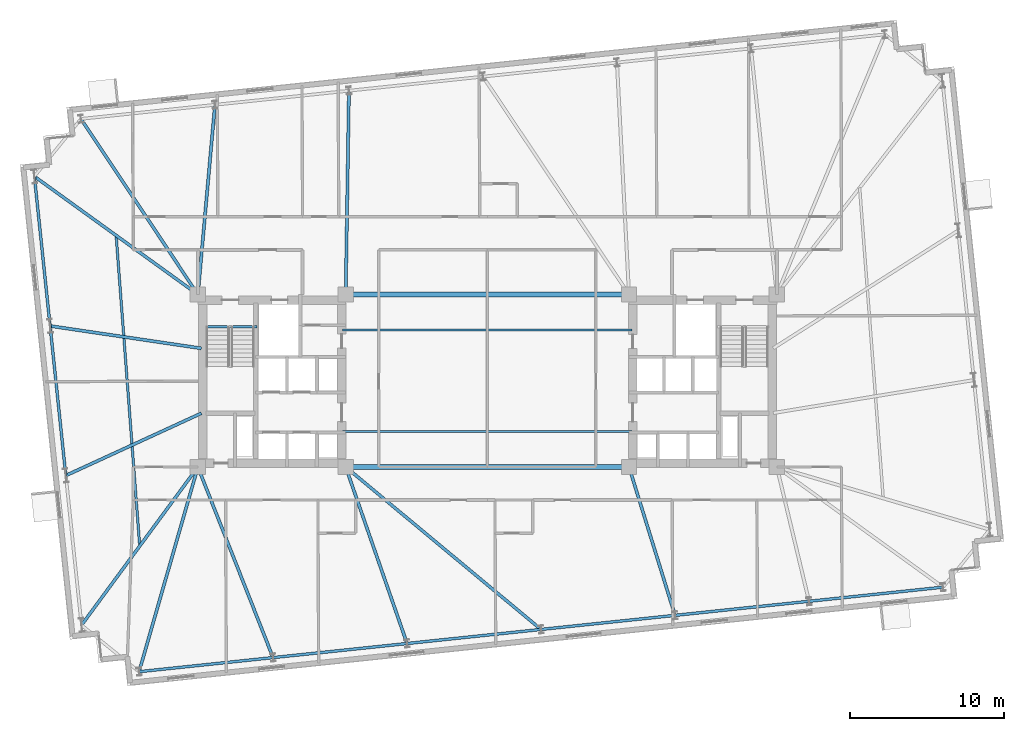
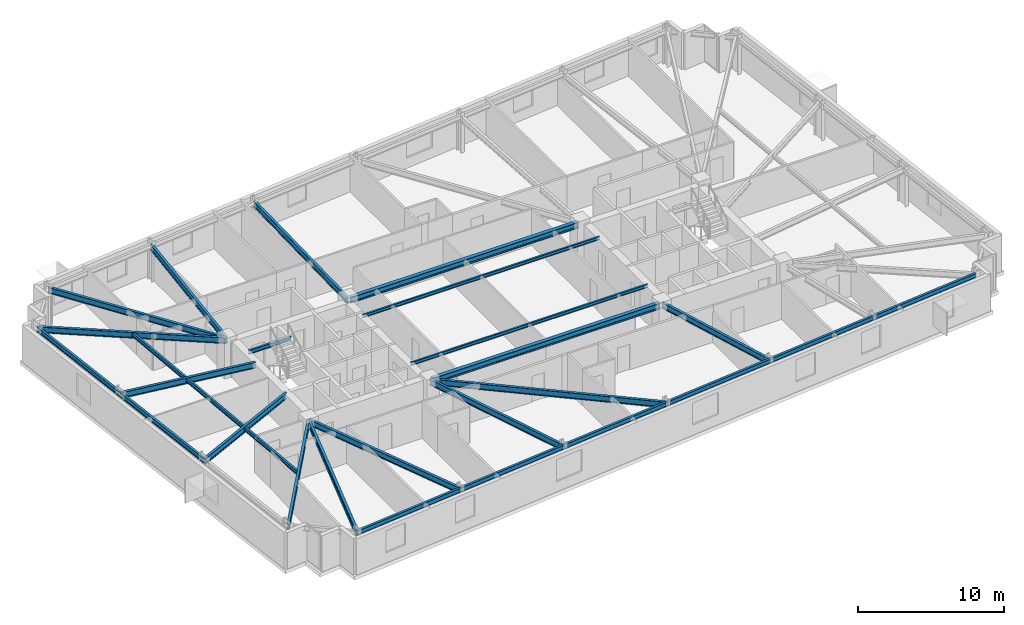
# One storey, part 5 of 17: 26 beams.
"""IFC4 building model written with IfcOpenShell, lengths in metres."""

from ifc_helpers import new_model, si_unit, direction, frame, origin, origin_2d, place, context, subcontext, project, spatial, i_section, extrude, material, material_profile, profile_set, type_object, element, save


model = new_model("IFC4")

# Units and contexts
model_context = context("Model", 3, precision=1e-05, world=origin(), true_north=direction((0.0, 1.0)))
body_context = subcontext(model_context, "Body", "Model", "MODEL_VIEW")
ifc_project = project(units=[si_unit("LENGTHUNIT", "METRE"), si_unit("AREAUNIT", "SQUARE_METRE"), si_unit("VOLUMEUNIT", "CUBIC_METRE"), si_unit("PLANEANGLEUNIT", "RADIAN"), si_unit("MASSUNIT", "GRAM", prefix="KILO")], contexts=[model_context])

# Site, building, storey
site_placement = place(None, origin())
site = spatial("IfcSite", under=ifc_project, at=site_placement, CompositionType="ELEMENT")
building_placement = place(site_placement, origin())
building = spatial("IfcBuilding", under=site, at=building_placement, Name="Qobustan Lattice House", CompositionType="ELEMENT")
storey_placement = place(building_placement, frame((0.0, 0.0, 105.800048828125)))
storey = spatial("IfcBuildingStorey", under=building, at=storey_placement, Name="L29", CompositionType="ELEMENT", Elevation=105.800048828125)

# Beams
ifc_material_1 = material(Name="Steel S355", Category="steel")
ifc_material_profile_1 = material_profile(ifc_material_1, i_section(OverallWidth=0.300048828125, OverallDepth=0.5, WebThickness=0.014404296875, FlangeThickness=0.028076171875, FilletRadius=0.027099609375, at=origin_2d()), Name="HEB500")
ifc_profile_set_1 = profile_set([ifc_material_profile_1], Name="Steel S355")
beam_type_1 = type_object("IfcBeamType", Name="BM-CG-HEB500", PredefinedType="USERDEFINED", material=ifc_profile_set_1)
for number, where, z_axis, x_axis, name in (
    (1, (-9.050048828125, -5.60009765625, 2.794921875), (1.0, 0.0, 0.0), (0.0, 1.0, 0.0), "L29 core spine girder CG-CS"),
    (2, (-9.050048828125, 5.60009765625, 2.794921875), (1.0, 0.0, 0.0), (0.0, 1.0, 0.0), "L29 core spine girder CG-CN"),
):
    element("IfcBeam", number, at=place(storey_placement, frame(where, z_axis=z_axis, x_axis=x_axis)), inside=storey, type_object=beam_type_1, Name=name, ObjectType="GIRDER", PredefinedType="USERDEFINED", context=body_context, shape_type="SweptSolid", body=[
        extrude(i_section(OverallWidth=0.300048828125, OverallDepth=0.5, WebThickness=0.014404296875, FlangeThickness=0.028076171875, FilletRadius=0.027099609375, at=origin_2d()), origin(), (0.0, 0.0, 1.0), 18.10009765625),
    ])
ifc_material_2 = material(Name="Steel S355", Category="steel")
ifc_material_profile_2 = material_profile(ifc_material_2, i_section(OverallWidth=0.199951171875, OverallDepth=0.5, WebThickness=0.01025390625, FlangeThickness=0.01611328125, FilletRadius=0.02099609375, at=origin_2d()), Name="IPE500")
ifc_profile_set_2 = profile_set([ifc_material_profile_2], Name="Steel S355")
beam_type_2 = type_object("IfcBeamType", Name="BM-FLG-IPE500", PredefinedType="USERDEFINED", material=ifc_profile_set_2)
beam_1_placement = place(storey_placement, frame((-22.612548828125, -18.87109375, 2.794921875), z_axis=(0.276115177845, 0.961124554136, 0.0), x_axis=(-0.961124554136, 0.276115177845, 0.0)))
element("IfcBeam", 3, at=beam_1_placement, inside=storey, type_object=beam_type_2, Name="L29 primary floor girder RAD-S1W", ObjectType="GIRDER", PredefinedType="USERDEFINED", context=body_context, shape_type="SweptSolid", body=[
    extrude(i_section(OverallWidth=0.199951171875, OverallDepth=0.5, WebThickness=0.01025390625, FlangeThickness=0.01611328125, FilletRadius=0.02099609375, at=origin_2d()), origin(), (0.0, 0.0, 1.0), 13.782958984375),
])
beam_2_placement = place(storey_placement, frame((-13.926513671875, -17.95703125, 2.794921875), z_axis=(-0.366884358141, 0.930266557365, 0.0), x_axis=(-0.930266557365, -0.366884358141, 0.0)))
element("IfcBeam", 4, at=beam_2_placement, inside=storey, type_object=beam_type_2, Name="L29 primary floor girder RAD-S2", ObjectType="GIRDER", PredefinedType="USERDEFINED", context=body_context, shape_type="SweptSolid", body=[
    extrude(i_section(OverallWidth=0.199951171875, OverallDepth=0.5, WebThickness=0.01025390625, FlangeThickness=0.01611328125, FilletRadius=0.02099609375, at=origin_2d()), origin(), (0.0, 0.0, 1.0), 13.25830078125),
])
beam_3_placement = place(storey_placement, frame((-5.223388671875, -17.0419921875, 2.794921875), z_axis=(-0.328289533586, 0.94457714462, 0.0), x_axis=(-0.94457714462, -0.328289533586, 0.0)))
element("IfcBeam", 5, at=beam_3_placement, inside=storey, type_object=beam_type_2, Name="L29 primary floor girder RAD-S3", ObjectType="GIRDER", PredefinedType="USERDEFINED", context=body_context, shape_type="SweptSolid", body=[
    extrude(i_section(OverallWidth=0.199951171875, OverallDepth=0.5, WebThickness=0.01025390625, FlangeThickness=0.01611328125, FilletRadius=0.02099609375, at=origin_2d()), origin(), (0.0, 0.0, 1.0), 12.08837890625),
])
beam_4_placement = place(storey_placement, frame((3.467529296875, -16.135009765625, 2.794921875), z_axis=(-0.768858311844, 0.639419186691, 0.0), x_axis=(-0.639419186691, -0.768858311844, 0.0)))
element("IfcBeam", 6, at=beam_4_placement, inside=storey, type_object=beam_type_2, Name="L29 primary floor girder RAD-S4", ObjectType="GIRDER", PredefinedType="USERDEFINED", context=body_context, shape_type="SweptSolid", body=[
    extrude(i_section(OverallWidth=0.199951171875, OverallDepth=0.5, WebThickness=0.01025390625, FlangeThickness=0.01611328125, FilletRadius=0.02099609375, at=origin_2d()), origin(), (0.0, 0.0, 1.0), 16.450927734375),
])
beam_5_placement = place(storey_placement, frame((12.181396484375, -15.212646484375, 2.794921875), z_axis=(-0.296219460995, 0.955119903953, 0.0), x_axis=(-0.955119903953, -0.296219460995, 0.0)))
element("IfcBeam", 7, at=beam_5_placement, inside=storey, type_object=beam_type_2, Name="L29 primary floor girder RAD-S5", ObjectType="GIRDER", PredefinedType="USERDEFINED", context=body_context, shape_type="SweptSolid", body=[
    extrude(i_section(OverallWidth=0.199951171875, OverallDepth=0.5, WebThickness=0.01025390625, FlangeThickness=0.01611328125, FilletRadius=0.02099609375, at=origin_2d()), origin(), (0.0, 0.0, 1.0), 10.03955078125),
])
beam_6_placement = place(storey_placement, frame((-26.37890625, 16.986328125, 2.794921875), z_axis=(0.5540893103, -0.832457227857, 0.0), x_axis=(0.832457227857, 0.5540893103, 0.0)))
element("IfcBeam", 8, at=beam_6_placement, inside=storey, type_object=beam_type_2, Name="L29 primary floor girder RAD-N7W", ObjectType="GIRDER", PredefinedType="USERDEFINED", context=body_context, shape_type="SweptSolid", body=[
    extrude(i_section(OverallWidth=0.199951171875, OverallDepth=0.5, WebThickness=0.01025390625, FlangeThickness=0.01611328125, FilletRadius=0.02099609375, at=origin_2d()), origin(), (0.0, 0.0, 1.0), 13.65283203125),
])
beam_7_placement = place(storey_placement, frame((-17.693115234375, 17.89697265625, 2.794921875), z_axis=(-0.089658533603, -0.995972563554, 0.0), x_axis=(0.995972563554, -0.089658533603, 0.0)))
element("IfcBeam", 9, at=beam_7_placement, inside=storey, type_object=beam_type_2, Name="L29 primary floor girder RAD-N6", ObjectType="GIRDER", PredefinedType="USERDEFINED", context=body_context, shape_type="SweptSolid", body=[
    extrude(i_section(OverallWidth=0.199951171875, OverallDepth=0.5, WebThickness=0.01025390625, FlangeThickness=0.01611328125, FilletRadius=0.02099609375, at=origin_2d()), origin(), (0.0, 0.0, 1.0), 12.321533203125),
])
beam_8_placement = place(storey_placement, frame((-8.9892578125, 18.8115234375, 2.794921875), z_axis=(-0.015957384359, -0.999872672836, 0.0), x_axis=(0.999872672836, -0.015957384359, 0.0)))
element("IfcBeam", 10, at=beam_8_placement, inside=storey, type_object=beam_type_2, Name="L29 primary floor girder RAD-N5", ObjectType="GIRDER", PredefinedType="USERDEFINED", context=body_context, shape_type="SweptSolid", body=[
    extrude(i_section(OverallWidth=0.199951171875, OverallDepth=0.5, WebThickness=0.01025390625, FlangeThickness=0.01611328125, FilletRadius=0.02099609375, at=origin_2d()), origin(), (0.0, 0.0, 1.0), 13.188232421875),
])
beam_9_placement = place(storey_placement, frame((-29.398681640625, 13.255859375, 2.794921875), z_axis=(0.810627425394, -0.585562274399, 0.0), x_axis=(0.585562274399, 0.810627425394, 0.0)))
element("IfcBeam", 11, at=beam_9_placement, inside=storey, type_object=beam_type_2, Name="L29 primary floor girder RAD-W1", ObjectType="GIRDER", PredefinedType="USERDEFINED", context=body_context, shape_type="SweptSolid", body=[
    extrude(i_section(OverallWidth=0.199951171875, OverallDepth=0.5, WebThickness=0.01025390625, FlangeThickness=0.01611328125, FilletRadius=0.02099609375, at=origin_2d()), origin(), (0.0, 0.0, 1.0), 13.049560546875),
])
beam_10_placement = place(storey_placement, frame((-28.373291015625, 3.5537109375, 2.794921875), z_axis=(0.989228195022, -0.146381618294, 0.0), x_axis=(0.146381618294, 0.989228195022, 0.0)))
element("IfcBeam", 12, at=beam_10_placement, inside=storey, type_object=beam_type_2, Name="L29 primary floor girder RAD-W2", ObjectType="GIRDER", PredefinedType="USERDEFINED", context=body_context, shape_type="SweptSolid", body=[
    extrude(i_section(OverallWidth=0.199951171875, OverallDepth=0.5, WebThickness=0.01025390625, FlangeThickness=0.01611328125, FilletRadius=0.02099609375, at=origin_2d()), origin(), (0.0, 0.0, 1.0), 9.9052734375),
])
beam_11_placement = place(storey_placement, frame((-27.3544921875, -6.1455078125, 2.794921875), z_axis=(0.908664928826, 0.417526103521, 0.0), x_axis=(-0.417526103521, 0.908664928826, 0.0)))
element("IfcBeam", 13, at=beam_11_placement, inside=storey, type_object=beam_type_2, Name="L29 primary floor girder RAD-W3", ObjectType="GIRDER", PredefinedType="USERDEFINED", context=body_context, shape_type="SweptSolid", body=[
    extrude(i_section(OverallWidth=0.199951171875, OverallDepth=0.5, WebThickness=0.01025390625, FlangeThickness=0.01611328125, FilletRadius=0.02099609375, at=origin_2d()), origin(), (0.0, 0.0, 1.0), 9.66455078125),
])
beam_12_placement = place(storey_placement, frame((-26.34130859375, -15.848876953125, 2.794921875), z_axis=(0.592669703312, 0.805445605101, 0.0), x_axis=(-0.805445605101, 0.592669703312, 0.0)))
element("IfcBeam", 14, at=beam_12_placement, inside=storey, type_object=beam_type_2, Name="L29 primary floor girder RAD-W4", ObjectType="GIRDER", PredefinedType="USERDEFINED", context=body_context, shape_type="SweptSolid", body=[
    extrude(i_section(OverallWidth=0.199951171875, OverallDepth=0.5, WebThickness=0.01025390625, FlangeThickness=0.01611328125, FilletRadius=0.02099609375, at=origin_2d()), origin(), (0.0, 0.0, 1.0), 12.699462890625),
])
ifc_material_3 = material(Name="Steel S355", Category="steel")
ifc_material_profile_3 = material_profile(ifc_material_3, i_section(OverallWidth=0.135009765625, OverallDepth=0.27001953125, WebThickness=0.006591796875, FlangeThickness=0.01025390625, FilletRadius=0.014892578125, at=origin_2d()), Name="IPE270")
ifc_profile_set_3 = profile_set([ifc_material_profile_3], Name="Steel S355")
beam_type_3 = type_object("IfcBeamType", Name="BM-JST-IPE270", PredefinedType="JOIST", material=ifc_profile_set_3)
for number, where, z_axis, x_axis, name in (
    (15, (-9.39990234375, -3.300048828125, 2.909912109375), (1.0, 0.0, 0.0), (0.0, 1.0, 0.0), "L29 central span floor joist 1"),
    (16, (-9.39990234375, 3.300048828125, 2.909912109375), (1.0, 0.0, 0.0), (0.0, 1.0, 0.0), "L29 central span floor joist 2"),
):
    element("IfcBeam", number, at=place(storey_placement, frame(where, z_axis=z_axis, x_axis=x_axis)), inside=storey, type_object=beam_type_3, Name=name, PredefinedType="JOIST", context=body_context, shape_type="SweptSolid", body=[
        extrude(i_section(OverallWidth=0.135009765625, OverallDepth=0.27001953125, WebThickness=0.006591796875, FlangeThickness=0.01025390625, FilletRadius=0.014892578125, at=origin_2d()), origin(), (0.0, 0.0, 1.0), 18.7998046875),
    ])
ifc_material_4 = material(Name="Steel S355", Category="steel")
ifc_material_profile_4 = material_profile(ifc_material_4, i_section(OverallWidth=0.159912109375, OverallDepth=0.330078125, WebThickness=0.007568359375, FlangeThickness=0.011474609375, FilletRadius=0.01806640625, at=origin_2d()), Name="IPE330")
ifc_profile_set_4 = profile_set([ifc_material_profile_4], Name="Steel S355")
beam_type_4 = type_object("IfcBeamType", Name="BM-SEC-IPE330", PredefinedType="BEAM", material=ifc_profile_set_4)
beam_13_placement = place(storey_placement, frame((-24.109619140625, 9.435302734375, 2.8798828125), z_axis=(0.07571166528, -0.997129752711, 0.0), x_axis=(0.997129752711, 0.07571166528, 0.0)))
element("IfcBeam", 17, at=beam_13_placement, inside=storey, type_object=beam_type_4, Name="L29 west wing secondary beam", PredefinedType="BEAM", context=body_context, shape_type="SweptSolid", body=[
    extrude(i_section(OverallWidth=0.159912109375, OverallDepth=0.330078125, WebThickness=0.007568359375, FlangeThickness=0.011474609375, FilletRadius=0.01806640625, at=origin_2d()), origin(), (0.0, 0.0, 1.0), 20.22802734375),
])
ifc_material_5 = material(Name="Steel S355", Category="steel")
ifc_material_profile_5 = material_profile(ifc_material_5, i_section(OverallWidth=0.159912109375, OverallDepth=0.330078125, WebThickness=0.007568359375, FlangeThickness=0.011474609375, FilletRadius=0.01806640625, at=origin_2d()), Name="IPE330")
ifc_profile_set_5 = profile_set([ifc_material_profile_5], Name="Steel S355")
beam_type_5 = type_object("IfcBeamType", Name="BM-SPD-IPE330", PredefinedType="SPANDREL", material=ifc_profile_set_5)
beam_14_placement = place(storey_placement, frame((-18.300048828125, 3.52001953125, 2.8798828125), z_axis=(1.0, 0.0, 0.0), x_axis=(0.0, 1.0, 0.0)))
element("IfcBeam", 18, at=beam_14_placement, inside=storey, type_object=beam_type_5, Name="L29 west stair landing trimmer beam", PredefinedType="SPANDREL", context=body_context, shape_type="SweptSolid", body=[
    extrude(i_section(OverallWidth=0.159912109375, OverallDepth=0.330078125, WebThickness=0.007568359375, FlangeThickness=0.011474609375, FilletRadius=0.01806640625, at=origin_2d()), origin(), (0.0, 0.0, 1.0), 3.35009765625),
])
ifc_material_6 = material(Name="Steel S355", Category="steel")
ifc_material_profile_6 = material_profile(ifc_material_6, i_section(OverallWidth=0.179931640625, OverallDepth=0.39990234375, WebThickness=0.008544921875, FlangeThickness=0.013427734375, FilletRadius=0.02099609375, at=origin_2d()), Name="IPE400")
ifc_profile_set_6 = profile_set([ifc_material_profile_6], Name="Steel S355")
beam_type_6 = type_object("IfcBeamType", Name="BM-SPD-IPE400", PredefinedType="SPANDREL", material=ifc_profile_set_6)
beam_15_placement = place(storey_placement, frame((-22.594482421875, -18.892333984375, 2.844970703125), z_axis=(0.994521279781, 0.10453432002, 0.0), x_axis=(-0.10453432002, 0.994521279781, 0.0)))
element("IfcBeam", 19, at=beam_15_placement, inside=storey, type_object=beam_type_6, Name="L29 perimeter spandrel S1-S2", PredefinedType="SPANDREL", context=body_context, shape_type="SweptSolid", body=[
    extrude(i_section(OverallWidth=0.179931640625, OverallDepth=0.39990234375, WebThickness=0.008544921875, FlangeThickness=0.013427734375, FilletRadius=0.02099609375, at=origin_2d()), origin(), (0.0, 0.0, 1.0), 8.69970703125),
])
for number, where, z_axis, x_axis, name in (
    (20, (-13.892578125, -17.977783203125, 2.844970703125), (0.994521586424, 0.104531402636, 0.0), (-0.104531402636, 0.994521586424, 0.0), "L29 perimeter spandrel S2-S3"),
    (21, (-5.1904296875, -17.06298828125, 2.844970703125), (0.994524503348, 0.104503647022, 0.0), (-0.104503647022, 0.994524503348, 0.0), "L29 perimeter spandrel S3-S4"),
):
    element("IfcBeam", number, at=place(storey_placement, frame(where, z_axis=z_axis, x_axis=x_axis)), inside=storey, type_object=beam_type_6, Name=name, PredefinedType="SPANDREL", context=body_context, shape_type="SweptSolid", body=[
        extrude(i_section(OverallWidth=0.179931640625, OverallDepth=0.39990234375, WebThickness=0.008544921875, FlangeThickness=0.013427734375, FilletRadius=0.02099609375, at=origin_2d()), origin(), (0.0, 0.0, 1.0), 8.699951171875),
    ])
beam_16_placement = place(storey_placement, frame((3.51171875, -16.1484375, 2.844970703125), z_axis=(0.994521279781, 0.10453432002, 0.0), x_axis=(-0.10453432002, 0.994521279781, 0.0)))
element("IfcBeam", 22, at=beam_16_placement, inside=storey, type_object=beam_type_6, Name="L29 perimeter spandrel S4-S5", PredefinedType="SPANDREL", context=body_context, shape_type="SweptSolid", body=[
    extrude(i_section(OverallWidth=0.179931640625, OverallDepth=0.39990234375, WebThickness=0.008544921875, FlangeThickness=0.013427734375, FilletRadius=0.02099609375, at=origin_2d()), origin(), (0.0, 0.0, 1.0), 8.69970703125),
])
for number, where, z_axis, x_axis, name in (
    (23, (12.213623046875, -15.23388671875, 2.844970703125), (0.994521586424, 0.104531402636, 0.0), (-0.104531402636, 0.994521586424, 0.0), "L29 perimeter spandrel S5-S6"),
    (24, (20.915771484375, -14.3193359375, 2.844970703125), (0.994521586424, 0.104531402636, 0.0), (-0.104531402636, 0.994521586424, 0.0), "L29 perimeter spandrel S6-S7"),
):
    element("IfcBeam", number, at=place(storey_placement, frame(where, z_axis=z_axis, x_axis=x_axis)), inside=storey, type_object=beam_type_6, Name=name, PredefinedType="SPANDREL", context=body_context, shape_type="SweptSolid", body=[
        extrude(i_section(OverallWidth=0.179931640625, OverallDepth=0.39990234375, WebThickness=0.008544921875, FlangeThickness=0.013427734375, FilletRadius=0.02099609375, at=origin_2d()), origin(), (0.0, 0.0, 1.0), 8.699951171875),
    ])
beam_17_placement = place(storey_placement, frame((-29.416259765625, 13.24560546875, 2.844970703125), z_axis=(0.104525214252, -0.994522236848, 0.0), x_axis=(0.994522236848, 0.104525214252, 0.0)))
element("IfcBeam", 25, at=beam_17_placement, inside=storey, type_object=beam_type_6, Name="L29 perimeter spandrel W1-W2", PredefinedType="SPANDREL", context=body_context, shape_type="SweptSolid", body=[
    extrude(i_section(OverallWidth=0.179931640625, OverallDepth=0.39990234375, WebThickness=0.008544921875, FlangeThickness=0.013427734375, FilletRadius=0.02099609375, at=origin_2d()), origin(), (0.0, 0.0, 1.0), 9.716552734375),
])
beam_18_placement = place(storey_placement, frame((-28.3955078125, 3.532470703125, 2.844970703125), z_axis=(0.104547453407, -0.994519899241, 0.0), x_axis=(0.994519899241, 0.104547453407, 0.0)))
element("IfcBeam", 26, at=beam_18_placement, inside=storey, type_object=beam_type_6, Name="L29 perimeter spandrel W2-W3", PredefinedType="SPANDREL", context=body_context, shape_type="SweptSolid", body=[
    extrude(i_section(OverallWidth=0.179931640625, OverallDepth=0.39990234375, WebThickness=0.008544921875, FlangeThickness=0.013427734375, FilletRadius=0.02099609375, at=origin_2d()), origin(), (0.0, 0.0, 1.0), 9.716796875),
])

save(model, "model.ifc")
